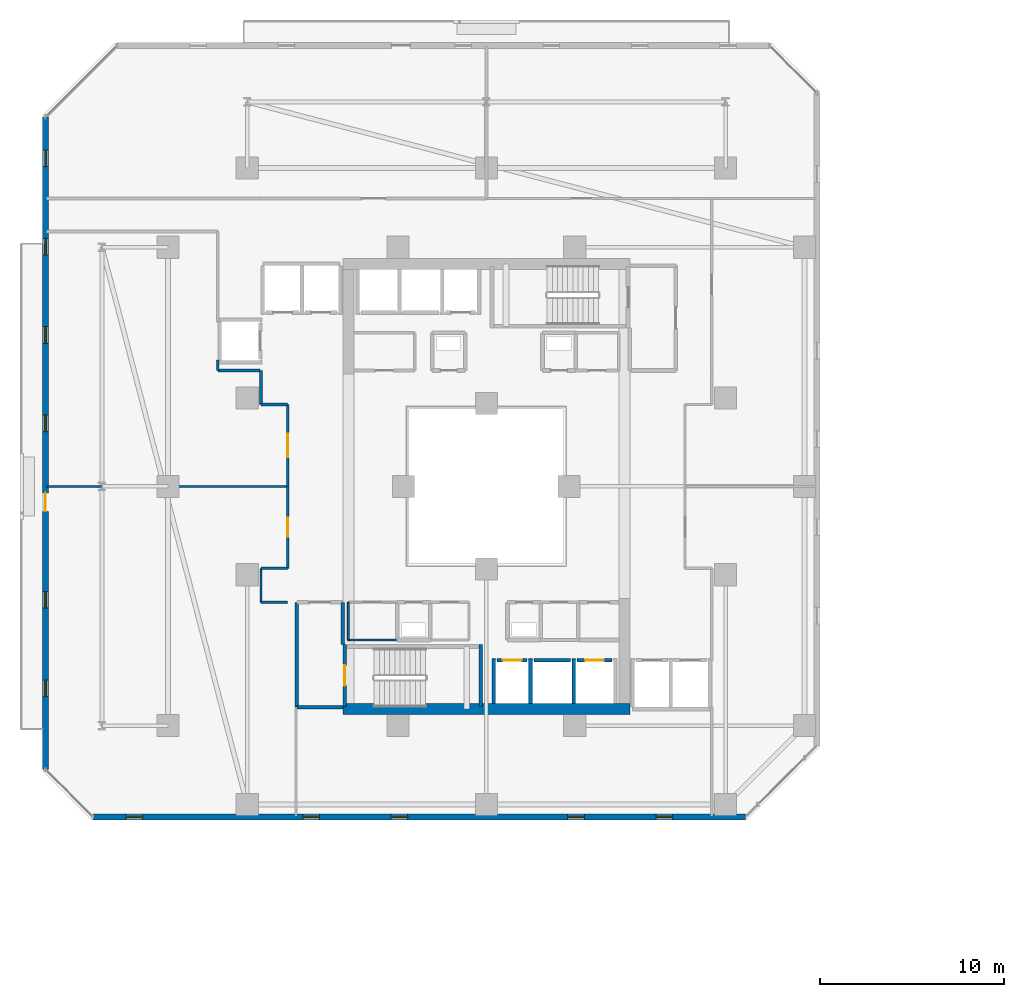
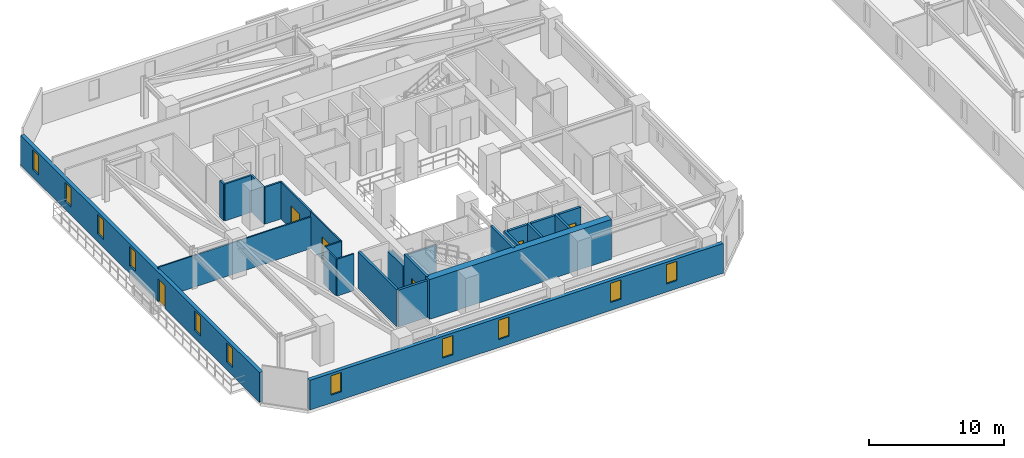
# One storey, part 19 of 33: 26 walls, 11 windows, 6 doors, 17 openings.
"""IFC4 building model written with IfcOpenShell, lengths in metres."""

import ifcopenshell
import ifcopenshell.guid

model = None  # the IFC model being written
_history = None  # IfcOwnerHistory: only IFC2X3 demands one
_inside = {}  # id of a spatial element -> (the spatial element, [elements in it])
_under = {}  # id of a project, library or spatial element -> (it, [spatial elements below it])
_declared = {}  # id of a project -> (the project, [libraries it declares])
_typed = {}  # id of a type object -> (the type object, [elements of that type])
_made_of = {}  # id of a material, layer set ... -> (it, [elements and type objects made of it])


def new_model(schema):
    """Start an empty IFC model of exactly this schema.

    Asked for "IFC4X3", IfcOpenShell would pick the latest addendum, in which some entities
    have other attributes; the version numbers below select the first issue.
    IFC2X3 requires an IfcOwnerHistory on every rooted entity: one is made here for all.
    """
    global model, _history
    if schema == "IFC4X3":
        model = ifcopenshell.file(schema_version=(4, 3, 0, 0))
    else:
        model = ifcopenshell.file(schema=schema)
    _inside.clear()
    _under.clear()
    _declared.clear()
    _typed.clear()
    _made_of.clear()
    _history = None
    if model.schema == "IFC2X3":
        org = make("IfcOrganization", Name="unknown")
        user = make(
            "IfcPersonAndOrganization",
            ThePerson=make("IfcPerson", FamilyName="unknown"),
            TheOrganization=org,
        )
        app = make(
            "IfcApplication",
            ApplicationDeveloper=org,
            Version="unknown",
            ApplicationFullName="unknown",
            ApplicationIdentifier="unknown",
        )
        _history = make(
            "IfcOwnerHistory",
            OwningUser=user,
            OwningApplication=app,
            ChangeAction="ADDED",
            CreationDate=0,
        )
    return model


def make(cls, **values):
    """One entity of the class cls with the attributes given. An attribute that is None is left unset."""
    return model.create_entity(
        cls, **{name: value for name, value in values.items() if value is not None}
    )


def rooted(cls, **values):
    """An entity with a GlobalId (a new one), such as an element, a storey or a relation."""
    return make(cls, GlobalId=ifcopenshell.guid.new(), OwnerHistory=_history, **values)


def si_unit(unit_type, name, prefix=None):
    """IfcSIUnit, for example si_unit("LENGTHUNIT", "METRE", prefix="MILLI")."""
    return make("IfcSIUnit", UnitType=unit_type, Prefix=prefix, Name=name)


def assignment(units):
    """IfcUnitAssignment: the units of a project."""
    return None if units is None else make("IfcUnitAssignment", Units=units)


def point(xyz):
    """IfcCartesianPoint."""
    return None if xyz is None else make("IfcCartesianPoint", Coordinates=xyz)


def direction(xyz):
    """IfcDirection."""
    return None if xyz is None else make("IfcDirection", DirectionRatios=xyz)


def frame(location, z_axis=None, x_axis=None):
    """IfcAxis2Placement3D, a coordinate frame: its origin and axes. An axis left out is left unset."""
    return make(
        "IfcAxis2Placement3D",
        Location=point(location),
        Axis=direction(z_axis),
        RefDirection=direction(x_axis),
    )


def frame_2d(location, x_axis=None):
    """IfcAxis2Placement2D, a coordinate frame in the plane: its origin and x axis."""
    return make(
        "IfcAxis2Placement2D", Location=point(location), RefDirection=direction(x_axis)
    )


def origin():
    """The frame at (0, 0, 0) with its axes left unset."""
    return frame((0.0, 0.0, 0.0))


def place(relative_to, where):
    """IfcLocalPlacement: puts the frame where relative to a parent placement (None: the world)."""
    return make(
        "IfcLocalPlacement", PlacementRelTo=relative_to, RelativePlacement=where
    )


def context(
    kind, dimensions, precision=None, world=None, true_north=None, identifier=None
):
    """IfcGeometricRepresentationContext, for example the 3D "Model" context."""
    return make(
        "IfcGeometricRepresentationContext",
        ContextIdentifier=identifier,
        ContextType=kind,
        CoordinateSpaceDimension=dimensions,
        Precision=precision,
        WorldCoordinateSystem=world,
        TrueNorth=true_north,
    )


def subcontext(parent, identifier, kind, view, scale=None):
    """IfcGeometricRepresentationSubContext, for example "Body" below "Model"."""
    return make(
        "IfcGeometricRepresentationSubContext",
        ContextIdentifier=identifier,
        ContextType=kind,
        ParentContext=parent,
        TargetScale=scale,
        TargetView=view,
    )


def project(units=None, contexts=None):
    """IfcProject with its units and contexts."""
    return rooted(
        "IfcProject",
        Name="project",
        RepresentationContexts=contexts,
        UnitsInContext=assignment(units),
    )


def spatial(cls, under=None, at=None, **own):
    """A site, building, storey or space (cls), placed at a placement, below another one or the project."""
    s = rooted(cls, ObjectPlacement=at, **own)
    if under is not None:
        _under.setdefault(under.id(), (under, []))[1].append(s)
    return s


def profile(cls, at=None, kind="AREA", **sizes):
    """A parametric profile (cls). Its sizes go by their IFC names, for example OverallWidth=200.0."""
    return make(cls, ProfileType=kind, Position=at, **sizes)


def rectangle(**sizes):
    """IfcRectangleProfileDef."""
    return profile("IfcRectangleProfileDef", **sizes)


def extrude(swept, where, along, depth):
    """IfcExtrudedAreaSolid: the profile swept, set in the frame where, extruded along a direction by depth."""
    return make(
        "IfcExtrudedAreaSolid",
        SweptArea=swept,
        Position=where,
        ExtrudedDirection=direction(along),
        Depth=depth,
    )


def shape(context_of_items, identifier, shape_type, items):
    """IfcShapeRepresentation: the items that make up one representation, for example the "Body"."""
    return make(
        "IfcShapeRepresentation",
        ContextOfItems=context_of_items,
        RepresentationIdentifier=identifier,
        RepresentationType=shape_type,
        Items=items,
    )


def material(Name=None, Category=None):
    """IfcMaterial."""
    return make("IfcMaterial", Name=Name, Category=Category)


def layer(
    of_material, thickness, ventilated=None, Name=None, Category=None, Priority=None
):
    """IfcMaterialLayer: one layer of a wall or slab, of a material (None: an air gap)."""
    return make(
        "IfcMaterialLayer",
        Material=of_material,
        LayerThickness=thickness,
        IsVentilated=ventilated,
        Name=Name,
        Category=Category,
        Priority=Priority,
    )


def layer_set(layers, Name=None):
    """IfcMaterialLayerSet."""
    return make("IfcMaterialLayerSet", MaterialLayers=layers, LayerSetName=Name)


def made_of(thing, what):
    """Note that an element or type object is made of a material, layer set ...; save() writes the relation."""
    if what is not None:
        _made_of.setdefault(what.id(), (what, []))[1].append(thing)
    return thing


def type_object(cls, material=None, **own):
    """A type object (cls), such as IfcWallType, which elements share."""
    return made_of(rooted(cls, **own), material)


def element(
    cls,
    number,
    at=None,
    inside=None,
    cuts=None,
    type_object=None,
    material=None,
    context=None,
    identifier="Body",
    shape_type=None,
    held_by="IfcProductDefinitionShape",
    body=None,
    shapes=None,
    **own,
):
    """One element of the class cls, such as IfcWall. Its Tag is "e" and its number.

    at: its placement. inside: the storey or other place that contains it. cuts: it is an
    opening in that element (IfcRelVoidsElement). A single representation is given by context,
    identifier, shape_type and body (its items); several are given by shapes. held_by: the class
    of the entity that holds the representations. save() writes the other relations.
    """
    e = rooted(cls, Tag="e%d" % number, ObjectPlacement=at, **own)
    if body is not None:
        shapes = [shape(context, identifier, shape_type, body)]
    if shapes is not None:
        e.Representation = make(held_by, Representations=shapes)
    if inside is not None:
        _inside.setdefault(inside.id(), (inside, []))[1].append(e)
    if cuts is not None:
        rooted(
            "IfcRelVoidsElement", RelatingBuildingElement=cuts, RelatedOpeningElement=e
        )
    if type_object is not None:
        _typed.setdefault(type_object.id(), (type_object, []))[1].append(e)
    return made_of(e, material)


def fill(opening, filler):
    """IfcRelFillsElement: the door or window that sits in an opening."""
    return rooted(
        "IfcRelFillsElement",
        RelatingOpeningElement=opening,
        RelatedBuildingElement=filler,
    )


def aggregate(whole, parts):
    """IfcRelAggregates: a whole, such as a stair, and the parts it consists of."""
    return rooted("IfcRelAggregates", RelatingObject=whole, RelatedObjects=parts)


def save(model, path):
    """Write the relations noted so far, then the file.

    IfcRelAggregates (storeys below a building ...), IfcRelContainedInSpatialStructure (elements
    in a storey), IfcRelDefinesByType, IfcRelAssociatesMaterial and IfcRelDeclares: one each for
    every whole, place, type object, material and project.
    """
    for whole, parts in _under.values():
        aggregate(whole, parts)
    for where, things in _inside.values():
        rooted(
            "IfcRelContainedInSpatialStructure",
            RelatedElements=things,
            RelatingStructure=where,
        )
    for kind, things in _typed.values():
        rooted("IfcRelDefinesByType", RelatedObjects=things, RelatingType=kind)
    for what, things in _made_of.values():
        rooted("IfcRelAssociatesMaterial", RelatedObjects=things, RelatingMaterial=what)
    for by, libraries in _declared.values():
        rooted("IfcRelDeclares", RelatingContext=by, RelatedDefinitions=libraries)
    model.write(path)


model = new_model("IFC4")

# Units and contexts
model_context = context("Model", 3, precision=1e-05, world=origin(), true_north=direction((0.0, 1.0)))
body_context = subcontext(model_context, "Body", "Model", "MODEL_VIEW")
ifc_project = project(units=[si_unit("LENGTHUNIT", "METRE"), si_unit("AREAUNIT", "SQUARE_METRE"), si_unit("VOLUMEUNIT", "CUBIC_METRE"), si_unit("PLANEANGLEUNIT", "RADIAN"), si_unit("MASSUNIT", "GRAM", prefix="KILO")], contexts=[model_context])

# Site, building, storey
site_placement = place(None, origin())
site = spatial("IfcSite", under=ifc_project, at=site_placement, CompositionType="ELEMENT")
building_placement = place(site_placement, origin())
building = spatial("IfcBuilding", under=site, at=building_placement, Name="Thornwick Lancets Civic Towers", CompositionType="ELEMENT")
storey_placement = place(building_placement, frame((0.0, 0.0, 101.699951171875)))
storey = spatial("IfcBuildingStorey", under=building, at=storey_placement, Name="L26", CompositionType="ELEMENT", Elevation=101.699951171875)

# Wall, opening, door
ifc_material_1 = material(Name="Concrete blockwork C40/50", Category="masonry")
ifc_layer_1 = layer(ifc_material_1, 0.199951171875, Name="Concrete blockwork C40/50")
ifc_layer_set_1 = layer_set([ifc_layer_1], Name="Concrete blockwork C40/50")
wall_type_1 = type_object("IfcWallType", Name="WALL_COMP_200", PredefinedType="STANDARD", material=ifc_layer_set_1)
wall_1_placement = place(storey_placement, frame((26.080078125, 17.550048828125, 0.0), z_axis=(0.0, 0.0, 1.0), x_axis=(1.0, 0.0, 0.0)))
wall_1 = element("IfcWall", 1, at=wall_1_placement, inside=storey, type_object=wall_type_1, Name="L26 Hoistway Front Wall FL-A1", PredefinedType="STANDARD", context=body_context, shape_type="SweptSolid", body=[
    extrude(rectangle(XDim=1.639892578125, YDim=0.199951171875, at=frame_2d((0.81982421875, 0.0))), origin(), (0.0, 0.0, 1.0), 3.340087890625),
])
opening_1_placement = place(wall_1_placement, frame((0.31005859375, 0.0, 0.0)))
opening_1 = element("IfcOpeningElement", 2, at=opening_1_placement, cuts=wall_1, Name="Opening LD-FL-A1", PredefinedType="OPENING", context=body_context, shape_type="SweptSolid", body=[
    extrude(rectangle(XDim=1.02001953125, YDim=2.06005859375, at=frame_2d((0.510009765625, 1.030029296875))), frame((0.0, 0.10986328125, 0.0), z_axis=(0.0, -1.0, 0.0), x_axis=(1.0, 0.0, 0.0)), (0.0, 0.0, 1.0), 0.219970703125),
])
ifc_material_2 = material(Name="Brushed bronze stainless steel", Category="steel")
door_type_1 = type_object("IfcDoorType", Name="DOOR_LIFT_SLIDE", OperationType="SLIDING_TO_LEFT", PredefinedType="DOOR", material=ifc_material_2)
door_1_placement = place(opening_1_placement, origin())
door_1 = element("IfcDoor", 3, at=door_1_placement, inside=storey, type_object=door_type_1, Name="L26 Sliding Lift Landing Door LD-FL-A1", OperationType="SLIDING_TO_LEFT", OverallHeight=2.06005859375, OverallWidth=1.02001953125, PredefinedType="DOOR", context=body_context, shape_type="SweptSolid", body=[
    extrude(rectangle(XDim=1.02001953125, YDim=2.06005859375, at=frame_2d((0.510009765625, 1.030029296875))), frame((0.0, 0.02490234375, 0.0), z_axis=(0.0, -1.0, 0.0), x_axis=(1.0, 0.0, 0.0)), (0.0, 0.0, 1.0), 0.050048828125),
])
fill(opening_1, door_1)

# Wall
wall_2_placement = place(storey_placement, frame((28.080078125, 17.550048828125, 0.0), z_axis=(0.0, 0.0, 1.0), x_axis=(1.0, 0.0, 0.0)))
element("IfcWall", 4, at=wall_2_placement, inside=storey, type_object=wall_type_1, Name="L26 Hoistway Front Wall PL-AH1", PredefinedType="STANDARD", context=body_context, shape_type="SweptSolid", body=[
    extrude(rectangle(XDim=1.989990234375, YDim=0.199951171875, at=frame_2d((0.9951171875, 0.0))), origin(), (0.0, 0.0, 1.0), 3.340087890625),
])

# Wall, opening, door
wall_3_placement = place(storey_placement, frame((30.429931640625, 17.550048828125, 0.0), z_axis=(0.0, 0.0, 1.0), x_axis=(1.0, 0.0, 0.0)))
wall_3 = element("IfcWall", 5, at=wall_3_placement, inside=storey, type_object=wall_type_1, Name="L26 Hoistway Front Wall PL-AL1", PredefinedType="STANDARD", context=body_context, shape_type="SweptSolid", body=[
    extrude(rectangle(XDim=1.89013671875, YDim=0.199951171875, at=frame_2d((0.945068359375, 0.0))), origin(), (0.0, 0.0, 1.0), 3.340087890625),
])
opening_2_placement = place(wall_3_placement, frame((0.43505859375, 0.0, 0.0)))
opening_2 = element("IfcOpeningElement", 6, at=opening_2_placement, cuts=wall_3, Name="Opening LD-PL-AL1", PredefinedType="OPENING", context=body_context, shape_type="SweptSolid", body=[
    extrude(rectangle(XDim=1.02001953125, YDim=2.06005859375, at=frame_2d((0.510009765625, 1.030029296875))), frame((0.0, 0.10986328125, 0.0), z_axis=(0.0, -1.0, 0.0), x_axis=(1.0, 0.0, 0.0)), (0.0, 0.0, 1.0), 0.219970703125),
])
door_2_placement = place(opening_2_placement, origin())
door_2 = element("IfcDoor", 7, at=door_2_placement, inside=storey, type_object=door_type_1, Name="L26 Sliding Lift Landing Door LD-PL-AL1", OperationType="SLIDING_TO_LEFT", OverallHeight=2.06005859375, OverallWidth=1.02001953125, PredefinedType="DOOR", context=body_context, shape_type="SweptSolid", body=[
    extrude(rectangle(XDim=1.02001953125, YDim=2.06005859375, at=frame_2d((0.510009765625, 1.030029296875))), frame((0.0, 0.02490234375, 0.0), z_axis=(0.0, -1.0, 0.0), x_axis=(1.0, 0.0, 0.0)), (0.0, 0.0, 1.0), 0.050048828125),
])
fill(opening_2, door_2)

# Walls
for number, where, z_axis, x_axis, name in (
    (8, (27.89990234375, 15.2119140625, 0.0), (0.0, 0.0, 1.0), (0.0, 1.0, 0.0), "L26 Hoistway Shaft Wall FL-A1 E"),
    (9, (25.89990234375, 15.2119140625, 0.0), (0.0, 0.0, 1.0), (0.0, 1.0, 0.0), "L26 Hoistway Shaft Wall FL-A1 W"),
    (10, (30.25, 15.2119140625, 0.0), (0.0, 0.0, 1.0), (0.0, 1.0, 0.0), "L26 Hoistway Shaft Wall PL-AH1 E"),
):
    element("IfcWall", number, at=place(storey_placement, frame(where, z_axis=z_axis, x_axis=x_axis)), inside=storey, type_object=wall_type_1, Name=name, PredefinedType="STANDARD", context=body_context, shape_type="SweptSolid", body=[
        extrude(rectangle(XDim=2.43603515625, YDim=0.199951171875, at=frame_2d((1.218017578125, 0.0))), origin(), (0.0, 0.0, 1.0), 3.340087890625),
    ])
wall_4_placement = place(storey_placement, frame((15.199951171875, 15.0, 0.0), z_axis=(0.0, 0.0, 1.0), x_axis=(1.0, 0.0, 0.0)))
element("IfcWall", 11, at=wall_4_placement, inside=storey, type_object=wall_type_1, Name="L26 Partition L26-A-FFLOB1 E1", PredefinedType="STANDARD", context=body_context, shape_type="SweptSolid", body=[
    extrude(rectangle(XDim=2.5, YDim=0.199951171875, at=frame_2d((1.25, 0.0))), origin(), (0.0, 0.0, 1.0), 3.340087890625),
])
wall_5_placement = place(storey_placement, frame((17.699951171875, 18.39990234375, 0.0), z_axis=(0.0, 0.0, 1.0), x_axis=(0.0, 1.0, 0.0)))
element("IfcWall", 12, at=wall_5_placement, inside=storey, type_object=wall_type_1, Name="L26 Partition L26-A-FFLOB1 E2", PredefinedType="STANDARD", context=body_context, shape_type="SweptSolid", body=[
    extrude(rectangle(XDim=2.300048828125, YDim=0.199951171875, at=frame_2d((1.14990234375, 0.0))), origin(), (0.0, 0.0, 1.0), 2.545166015625),
])
wall_6_placement = place(storey_placement, frame((15.199951171875, 20.699951171875, 0.0), z_axis=(0.0, 0.0, 1.0), x_axis=(0.0, -1.0, 0.0)))
element("IfcWall", 13, at=wall_6_placement, inside=storey, type_object=wall_type_1, Name="L26 Partition L26-A-FFLOB1 E4", PredefinedType="STANDARD", context=body_context, shape_type="SweptSolid", body=[
    extrude(rectangle(XDim=5.699951171875, YDim=0.199951171875, at=frame_2d((2.85009765625, 0.0))), origin(), (0.0, 0.0, 1.0), 3.340087890625),
])
ifc_material_3 = material(Name="Concrete C60/75", Category="concrete")
ifc_layer_2 = layer(ifc_material_3, 0.60009765625, Name="Concrete C60/75")
ifc_layer_set_2 = layer_set([ifc_layer_2], Name="Concrete C60/75")
wall_type_2 = type_object("IfcWallType", Name="WALL_CORE_600", PredefinedType="SHEAR", material=ifc_layer_set_2)
wall_7_placement = place(storey_placement, frame((17.699951171875, 14.89990234375, 0.0), z_axis=(0.0, 0.0, 1.0), x_axis=(1.0, 0.0, 0.0)))
element("IfcWall", 14, at=wall_7_placement, inside=storey, type_object=wall_type_2, Name="L26 Split Core A1 Shear Wall S", PredefinedType="SHEAR", context=body_context, shape_type="SweptSolid", body=[
    extrude(rectangle(XDim=15.60009765625, YDim=0.60009765625, at=frame_2d((7.800048828125, 0.0))), origin(), (0.0, 0.0, 1.0), 3.60009765625),
])

# Wall, openings, windows
ifc_material_4 = material(Name="Insulated buff terracotta rainscreen on concrete C40/50", Category="masonry")
ifc_layer_3 = layer(ifc_material_4, 0.320068359375, Name="Insulated buff terracotta rainscreen on concrete C40/50")
ifc_layer_set_3 = layer_set([ifc_layer_3], Name="Insulated buff terracotta rainscreen on concrete C40/50")
wall_type_3 = type_object("IfcWallType", Name="WALL_EXT_TERRA_320", PredefinedType="STANDARD", material=ifc_layer_set_3)
wall_8_placement = place(storey_placement, frame((4.11865234375, 9.035400390625, 0.0), z_axis=(0.0, 0.0, 1.0), x_axis=(0.99999999315, 0.00011704845, 0.0)))
wall_8 = element("IfcWall", 15, at=wall_8_placement, inside=storey, type_object=wall_type_3, Name="L26 Tower A Terracotta Facade Wall E0", PredefinedType="STANDARD", context=body_context, shape_type="SweptSolid", body=[
    extrude(rectangle(XDim=35.458740234375, YDim=0.320068359375, at=frame_2d((17.7294921875, 0.0))), origin(), (0.0, 0.0, 1.0), 2.699951171875),
])
opening_3_placement = place(wall_8_placement, frame((1.800048828125, 0.0, 0.719970703125)))
opening_3 = element("IfcOpeningElement", 16, at=opening_3_placement, cuts=wall_8, Name="Opening WL-01", PredefinedType="OPENING", context=body_context, shape_type="SweptSolid", body=[
    extrude(rectangle(XDim=0.89990234375, YDim=1.75, at=frame_2d((0.449951171875, 0.875))), frame((0.0, 0.169921875, 0.0), z_axis=(0.0, -1.0, 0.0), x_axis=(1.0, 0.0, 0.0)), (0.0, 0.0, 1.0), 0.340087890625),
])
opening_4_placement = place(wall_8_placement, frame((11.39990234375, 0.0, 0.719970703125)))
opening_4 = element("IfcOpeningElement", 17, at=opening_4_placement, cuts=wall_8, Name="Opening WL-01", PredefinedType="OPENING", context=body_context, shape_type="SweptSolid", body=[
    extrude(rectangle(XDim=0.89990234375, YDim=1.75, at=frame_2d((0.449951171875, 0.875))), frame((0.0, 0.169921875, 0.0), z_axis=(0.0, -1.0, 0.0), x_axis=(1.0, 0.0, 0.0)), (0.0, 0.0, 1.0), 0.340087890625),
])
opening_5_placement = place(wall_8_placement, frame((16.199951171875, 0.0, 0.719970703125)))
opening_5 = element("IfcOpeningElement", 18, at=opening_5_placement, cuts=wall_8, Name="Opening WL-01", PredefinedType="OPENING", context=body_context, shape_type="SweptSolid", body=[
    extrude(rectangle(XDim=0.89990234375, YDim=1.75, at=frame_2d((0.449951171875, 0.875))), frame((0.0, 0.169921875, 0.0), z_axis=(0.0, -1.0, 0.0), x_axis=(1.0, 0.0, 0.0)), (0.0, 0.0, 1.0), 0.340087890625),
])
opening_6_placement = place(wall_8_placement, frame((25.800048828125, 0.0, 0.719970703125)))
opening_6 = element("IfcOpeningElement", 19, at=opening_6_placement, cuts=wall_8, Name="Opening WL-01", PredefinedType="OPENING", context=body_context, shape_type="SweptSolid", body=[
    extrude(rectangle(XDim=0.89990234375, YDim=1.75, at=frame_2d((0.449951171875, 0.875))), frame((0.0, 0.169921875, 0.0), z_axis=(0.0, -1.0, 0.0), x_axis=(1.0, 0.0, 0.0)), (0.0, 0.0, 1.0), 0.340087890625),
])
opening_7_placement = place(wall_8_placement, frame((30.60009765625, 0.0, 0.719970703125)))
opening_7 = element("IfcOpeningElement", 20, at=opening_7_placement, cuts=wall_8, Name="Opening WL-01", PredefinedType="OPENING", context=body_context, shape_type="SweptSolid", body=[
    extrude(rectangle(XDim=0.89990234375, YDim=1.75, at=frame_2d((0.449951171875, 0.875))), frame((0.0, 0.169921875, 0.0), z_axis=(0.0, -1.0, 0.0), x_axis=(1.0, 0.0, 0.0)), (0.0, 0.0, 1.0), 0.340087890625),
])
ifc_material_5 = material(Name="Clear low-e double glazing in bronze frame", Category="glass")
window_type = type_object("IfcWindowType", Name="WIN_LANCET_900", PartitioningType="SINGLE_PANEL", PredefinedType="WINDOW", material=ifc_material_5)
window_1_placement = place(opening_3_placement, origin())
window_1 = element("IfcWindow", 21, at=window_1_placement, inside=storey, type_object=window_type, Name="L26 Tower A Staggered Lancet Window E0-1", OverallHeight=1.75, OverallWidth=0.89990234375, PartitioningType="SINGLE_PANEL", PredefinedType="WINDOW", context=body_context, shape_type="SweptSolid", body=[
    extrude(rectangle(XDim=0.89990234375, YDim=1.75, at=frame_2d((0.449951171875, 0.875))), frame((0.0, 0.030029296875, 0.0), z_axis=(0.0, -1.0, 0.0), x_axis=(1.0, 0.0, 0.0)), (0.0, 0.0, 1.0), 0.06005859375),
])
fill(opening_3, window_1)
window_2_placement = place(opening_4_placement, origin())
window_2 = element("IfcWindow", 22, at=window_2_placement, inside=storey, type_object=window_type, Name="L26 Tower A Staggered Lancet Window E0-2", OverallHeight=1.75, OverallWidth=0.89990234375, PartitioningType="SINGLE_PANEL", PredefinedType="WINDOW", context=body_context, shape_type="SweptSolid", body=[
    extrude(rectangle(XDim=0.89990234375, YDim=1.75, at=frame_2d((0.449951171875, 0.875))), frame((0.0, 0.030029296875, 0.0), z_axis=(0.0, -1.0, 0.0), x_axis=(1.0, 0.0, 0.0)), (0.0, 0.0, 1.0), 0.06005859375),
])
fill(opening_4, window_2)
window_3_placement = place(opening_5_placement, origin())
window_3 = element("IfcWindow", 23, at=window_3_placement, inside=storey, type_object=window_type, Name="L26 Tower A Staggered Lancet Window E0-3", OverallHeight=1.75, OverallWidth=0.89990234375, PartitioningType="SINGLE_PANEL", PredefinedType="WINDOW", context=body_context, shape_type="SweptSolid", body=[
    extrude(rectangle(XDim=0.89990234375, YDim=1.75, at=frame_2d((0.449951171875, 0.875))), frame((0.0, 0.030029296875, 0.0), z_axis=(0.0, -1.0, 0.0), x_axis=(1.0, 0.0, 0.0)), (0.0, 0.0, 1.0), 0.06005859375),
])
fill(opening_5, window_3)
window_4_placement = place(opening_6_placement, origin())
window_4 = element("IfcWindow", 24, at=window_4_placement, inside=storey, type_object=window_type, Name="L26 Tower A Staggered Lancet Window E0-4", OverallHeight=1.75, OverallWidth=0.89990234375, PartitioningType="SINGLE_PANEL", PredefinedType="WINDOW", context=body_context, shape_type="SweptSolid", body=[
    extrude(rectangle(XDim=0.89990234375, YDim=1.75, at=frame_2d((0.449951171875, 0.875))), frame((0.0, 0.030029296875, 0.0), z_axis=(0.0, -1.0, 0.0), x_axis=(1.0, 0.0, 0.0)), (0.0, 0.0, 1.0), 0.06005859375),
])
fill(opening_6, window_4)
window_5_placement = place(opening_7_placement, origin())
window_5 = element("IfcWindow", 25, at=window_5_placement, inside=storey, type_object=window_type, Name="L26 Tower A Staggered Lancet Window E0-5", OverallHeight=1.75, OverallWidth=0.89990234375, PartitioningType="SINGLE_PANEL", PredefinedType="WINDOW", context=body_context, shape_type="SweptSolid", body=[
    extrude(rectangle(XDim=0.89990234375, YDim=1.75, at=frame_2d((0.449951171875, 0.875))), frame((0.0, 0.030029296875, 0.0), z_axis=(0.0, -1.0, 0.0), x_axis=(1.0, 0.0, 0.0)), (0.0, 0.0, 1.0), 0.06005859375),
])
fill(opening_7, window_5)

# Wall, openings, door, windows
wall_9_placement = place(storey_placement, frame((1.53955078125, 47.077392578125, 0.0), z_axis=(0.0, 0.0, 1.0), x_axis=(-0.00011704845, -0.99999999315, 0.0)))
wall_9 = element("IfcWall", 26, at=wall_9_placement, inside=storey, type_object=wall_type_3, Name="L26 Tower A Terracotta Facade Wall E6", PredefinedType="STANDARD", context=body_context, shape_type="SweptSolid", body=[
    extrude(rectangle(XDim=35.458740234375, YDim=0.320068359375, at=frame_2d((17.7294921875, 0.0))), origin(), (0.0, 0.0, 1.0), 2.699951171875),
])
opening_8_placement = place(wall_9_placement, frame((20.42919921875, 0.0, 0.0)))
opening_8 = element("IfcOpeningElement", 27, at=opening_8_placement, cuts=wall_9, Name="Opening D-BL-L26-AW", PredefinedType="OPENING", context=body_context, shape_type="SweptSolid", body=[
    extrude(rectangle(XDim=1.0, YDim=2.080078125, at=frame_2d((0.5, 1.0400390625))), frame((0.0, 0.169921875, 0.0), z_axis=(0.0, -1.0, 0.0), x_axis=(1.0, 0.0, 0.0)), (0.0, 0.0, 1.0), 0.340087890625),
])
opening_9_placement = place(wall_9_placement, frame((1.800048828125, 0.0, 0.719970703125)))
opening_9 = element("IfcOpeningElement", 28, at=opening_9_placement, cuts=wall_9, Name="Opening WL-01", PredefinedType="OPENING", context=body_context, shape_type="SweptSolid", body=[
    extrude(rectangle(XDim=0.89990234375, YDim=1.75, at=frame_2d((0.449951171875, 0.875))), frame((0.0, 0.169921875, 0.0), z_axis=(0.0, -1.0, 0.0), x_axis=(1.0, 0.0, 0.0)), (0.0, 0.0, 1.0), 0.340087890625),
])
opening_10_placement = place(wall_9_placement, frame((6.60009765625, 0.0, 0.719970703125)))
opening_10 = element("IfcOpeningElement", 29, at=opening_10_placement, cuts=wall_9, Name="Opening WL-01", PredefinedType="OPENING", context=body_context, shape_type="SweptSolid", body=[
    extrude(rectangle(XDim=0.89990234375, YDim=1.75, at=frame_2d((0.449951171875, 0.875))), frame((0.0, 0.169921875, 0.0), z_axis=(0.0, -1.0, 0.0), x_axis=(1.0, 0.0, 0.0)), (0.0, 0.0, 1.0), 0.340087890625),
])
opening_11_placement = place(wall_9_placement, frame((11.39990234375, 0.0, 0.719970703125)))
opening_11 = element("IfcOpeningElement", 30, at=opening_11_placement, cuts=wall_9, Name="Opening WL-01", PredefinedType="OPENING", context=body_context, shape_type="SweptSolid", body=[
    extrude(rectangle(XDim=0.89990234375, YDim=1.75, at=frame_2d((0.449951171875, 0.875))), frame((0.0, 0.169921875, 0.0), z_axis=(0.0, -1.0, 0.0), x_axis=(1.0, 0.0, 0.0)), (0.0, 0.0, 1.0), 0.340087890625),
])
opening_12_placement = place(wall_9_placement, frame((16.199951171875, 0.0, 0.719970703125)))
opening_12 = element("IfcOpeningElement", 31, at=opening_12_placement, cuts=wall_9, Name="Opening WL-01", PredefinedType="OPENING", context=body_context, shape_type="SweptSolid", body=[
    extrude(rectangle(XDim=0.89990234375, YDim=1.75, at=frame_2d((0.449951171875, 0.875))), frame((0.0, 0.169921875, 0.0), z_axis=(0.0, -1.0, 0.0), x_axis=(1.0, 0.0, 0.0)), (0.0, 0.0, 1.0), 0.340087890625),
])
opening_13_placement = place(wall_9_placement, frame((25.800048828125, 0.0, 0.719970703125)))
opening_13 = element("IfcOpeningElement", 32, at=opening_13_placement, cuts=wall_9, Name="Opening WL-01", PredefinedType="OPENING", context=body_context, shape_type="SweptSolid", body=[
    extrude(rectangle(XDim=0.89990234375, YDim=1.75, at=frame_2d((0.449951171875, 0.875))), frame((0.0, 0.169921875, 0.0), z_axis=(0.0, -1.0, 0.0), x_axis=(1.0, 0.0, 0.0)), (0.0, 0.0, 1.0), 0.340087890625),
])
opening_14_placement = place(wall_9_placement, frame((30.60009765625, 0.0, 0.719970703125)))
opening_14 = element("IfcOpeningElement", 33, at=opening_14_placement, cuts=wall_9, Name="Opening WL-01", PredefinedType="OPENING", context=body_context, shape_type="SweptSolid", body=[
    extrude(rectangle(XDim=0.89990234375, YDim=1.75, at=frame_2d((0.449951171875, 0.875))), frame((0.0, 0.169921875, 0.0), z_axis=(0.0, -1.0, 0.0), x_axis=(1.0, 0.0, 0.0)), (0.0, 0.0, 1.0), 0.340087890625),
])
ifc_material_6 = material(Name="Thermally broken glazed loggia doorset")
door_type_2 = type_object("IfcDoorType", Name="DOOR_BALC_1000", OperationType="NOTDEFINED", PredefinedType="DOOR", material=ifc_material_6)
door_3_placement = place(opening_8_placement, origin())
door_3 = element("IfcDoor", 34, at=door_3_placement, inside=storey, type_object=door_type_2, Name="L26 Tower A Loggia Balcony Door W", OperationType="SINGLE_SWING_LEFT", OverallHeight=2.080078125, OverallWidth=1.0, PredefinedType="DOOR", context=body_context, shape_type="SweptSolid", body=[
    extrude(rectangle(XDim=1.0, YDim=2.080078125, at=frame_2d((0.5, 1.0400390625))), frame((0.0, 0.02490234375, 0.0), z_axis=(0.0, -1.0, 0.0), x_axis=(1.0, 0.0, 0.0)), (0.0, 0.0, 1.0), 0.050048828125),
])
fill(opening_8, door_3)
window_6_placement = place(opening_9_placement, origin())
window_6 = element("IfcWindow", 35, at=window_6_placement, inside=storey, type_object=window_type, Name="L26 Tower A Staggered Lancet Window E6-1", OverallHeight=1.75, OverallWidth=0.89990234375, PartitioningType="SINGLE_PANEL", PredefinedType="WINDOW", context=body_context, shape_type="SweptSolid", body=[
    extrude(rectangle(XDim=0.89990234375, YDim=1.75, at=frame_2d((0.449951171875, 0.875))), frame((0.0, 0.030029296875, 0.0), z_axis=(0.0, -1.0, 0.0), x_axis=(1.0, 0.0, 0.0)), (0.0, 0.0, 1.0), 0.06005859375),
])
fill(opening_9, window_6)
window_7_placement = place(opening_10_placement, origin())
window_7 = element("IfcWindow", 36, at=window_7_placement, inside=storey, type_object=window_type, Name="L26 Tower A Staggered Lancet Window E6-2", OverallHeight=1.75, OverallWidth=0.89990234375, PartitioningType="SINGLE_PANEL", PredefinedType="WINDOW", context=body_context, shape_type="SweptSolid", body=[
    extrude(rectangle(XDim=0.89990234375, YDim=1.75, at=frame_2d((0.449951171875, 0.875))), frame((0.0, 0.030029296875, 0.0), z_axis=(0.0, -1.0, 0.0), x_axis=(1.0, 0.0, 0.0)), (0.0, 0.0, 1.0), 0.06005859375),
])
fill(opening_10, window_7)
window_8_placement = place(opening_11_placement, origin())
window_8 = element("IfcWindow", 37, at=window_8_placement, inside=storey, type_object=window_type, Name="L26 Tower A Staggered Lancet Window E6-3", OverallHeight=1.75, OverallWidth=0.89990234375, PartitioningType="SINGLE_PANEL", PredefinedType="WINDOW", context=body_context, shape_type="SweptSolid", body=[
    extrude(rectangle(XDim=0.89990234375, YDim=1.75, at=frame_2d((0.449951171875, 0.875))), frame((0.0, 0.030029296875, 0.0), z_axis=(0.0, -1.0, 0.0), x_axis=(1.0, 0.0, 0.0)), (0.0, 0.0, 1.0), 0.06005859375),
])
fill(opening_11, window_8)
window_9_placement = place(opening_12_placement, origin())
window_9 = element("IfcWindow", 38, at=window_9_placement, inside=storey, type_object=window_type, Name="L26 Tower A Staggered Lancet Window E6-4", OverallHeight=1.75, OverallWidth=0.89990234375, PartitioningType="SINGLE_PANEL", PredefinedType="WINDOW", context=body_context, shape_type="SweptSolid", body=[
    extrude(rectangle(XDim=0.89990234375, YDim=1.75, at=frame_2d((0.449951171875, 0.875))), frame((0.0, 0.030029296875, 0.0), z_axis=(0.0, -1.0, 0.0), x_axis=(1.0, 0.0, 0.0)), (0.0, 0.0, 1.0), 0.06005859375),
])
fill(opening_12, window_9)
window_10_placement = place(opening_13_placement, origin())
window_10 = element("IfcWindow", 39, at=window_10_placement, inside=storey, type_object=window_type, Name="L26 Tower A Staggered Lancet Window E6-5", OverallHeight=1.75, OverallWidth=0.89990234375, PartitioningType="SINGLE_PANEL", PredefinedType="WINDOW", context=body_context, shape_type="SweptSolid", body=[
    extrude(rectangle(XDim=0.89990234375, YDim=1.75, at=frame_2d((0.449951171875, 0.875))), frame((0.0, 0.030029296875, 0.0), z_axis=(0.0, -1.0, 0.0), x_axis=(1.0, 0.0, 0.0)), (0.0, 0.0, 1.0), 0.06005859375),
])
fill(opening_13, window_10)
window_11_placement = place(opening_14_placement, origin())
window_11 = element("IfcWindow", 40, at=window_11_placement, inside=storey, type_object=window_type, Name="L26 Tower A Staggered Lancet Window E6-6", OverallHeight=1.75, OverallWidth=0.89990234375, PartitioningType="SINGLE_PANEL", PredefinedType="WINDOW", context=body_context, shape_type="SweptSolid", body=[
    extrude(rectangle(XDim=0.89990234375, YDim=1.75, at=frame_2d((0.449951171875, 0.875))), frame((0.0, 0.030029296875, 0.0), z_axis=(0.0, -1.0, 0.0), x_axis=(1.0, 0.0, 0.0)), (0.0, 0.0, 1.0), 0.06005859375),
])
fill(opening_14, window_11)

# Walls
ifc_material_7 = material(Name="Lightweight cellular office partition")
ifc_layer_4 = layer(ifc_material_7, 0.10009765625, Name="Lightweight cellular office partition")
ifc_layer_set_4 = layer_set([ifc_layer_4], Name="Lightweight cellular office partition")
wall_type_4 = type_object("IfcWallType", Name="WALL_PART_100", PredefinedType="PARTITIONING", material=ifc_layer_set_4)
wall_10_placement = place(storey_placement, frame((18.0, 18.64990234375, 0.0), z_axis=(0.0, 0.0, 1.0), x_axis=(1.0, 0.0, 0.0)))
element("IfcWall", 41, at=wall_10_placement, inside=storey, type_object=wall_type_4, Name="L26 Partition L26-A-CLN E1", PredefinedType="PARTITIONING", context=body_context, shape_type="SweptSolid", body=[
    extrude(rectangle(XDim=2.60009765625, YDim=0.10009765625, at=frame_2d((1.300048828125, 0.0))), origin(), (0.0, 0.0, 1.0), 3.340087890625),
])
wall_11_placement = place(storey_placement, frame((18.0, 20.699951171875, 0.0), z_axis=(0.0, 0.0, 1.0), x_axis=(0.0, -1.0, 0.0)))
element("IfcWall", 42, at=wall_11_placement, inside=storey, type_object=wall_type_4, Name="L26 Partition L26-A-CLN E4", PredefinedType="PARTITIONING", context=body_context, shape_type="SweptSolid", body=[
    extrude(rectangle(XDim=2.050048828125, YDim=0.10009765625, at=frame_2d((1.02490234375, 0.0))), origin(), (0.0, 0.0, 1.0), 2.545166015625),
])
ifc_material_8 = material(Name="Acoustic gypsum board partition")
ifc_layer_5 = layer(ifc_material_8, 0.1201171875, Name="Acoustic gypsum board partition")
ifc_layer_set_5 = layer_set([ifc_layer_5], Name="Acoustic gypsum board partition")
wall_type_5 = type_object("IfcWallType", Name="WALL_PART_120", PredefinedType="PARTITIONING", material=ifc_layer_set_5)
wall_12_placement = place(storey_placement, frame((1.580078125, 27.0, 0.0), z_axis=(0.0, 0.0, 1.0), x_axis=(1.0, 0.0, 0.0)))
element("IfcWall", 43, at=wall_12_placement, inside=storey, type_object=wall_type_5, Name="L26 Partition L26-A-W1 E2", PredefinedType="PARTITIONING", context=body_context, shape_type="SweptSolid", body=[
    extrude(rectangle(XDim=13.119873046875, YDim=0.1201171875, at=frame_2d((6.56005859375, 0.0))), origin(), (0.0, 0.0, 1.0), 2.8779296875),
])

# Wall, opening, door
wall_13_placement = place(storey_placement, frame((14.699951171875, 27.0, 0.0), z_axis=(0.0, 0.0, 1.0), x_axis=(0.0, -1.0, 0.0)))
wall_13 = element("IfcWall", 44, at=wall_13_placement, inside=storey, type_object=wall_type_5, Name="L26 Partition L26-A-W1 E3", PredefinedType="PARTITIONING", context=body_context, shape_type="SweptSolid", body=[
    extrude(rectangle(XDim=4.449951171875, YDim=0.1201171875, at=frame_2d((2.22509765625, 0.0))), origin(), (0.0, 0.0, 1.0), 3.340087890625),
])
opening_15_placement = place(wall_13_placement, frame((1.699951171875, 0.0, 0.0)))
opening_15 = element("IfcOpeningElement", 45, at=opening_15_placement, cuts=wall_13, Name="Opening D-L26-1217", PredefinedType="OPENING", context=body_context, shape_type="SweptSolid", body=[
    extrude(rectangle(XDim=1.050048828125, YDim=2.10009765625, at=frame_2d((0.52490234375, 1.050048828125))), frame((0.0, 0.070068359375, 0.0), z_axis=(0.0, -1.0, 0.0), x_axis=(1.0, 0.0, 0.0)), (0.0, 0.0, 1.0), 0.14013671875),
])
ifc_material_9 = material(Name="Glazed European oak executive doorset")
door_type_3 = type_object("IfcDoorType", Name="DOOR_OFFICE_1050", OperationType="NOTDEFINED", PredefinedType="DOOR", material=ifc_material_9)
door_4_placement = place(opening_15_placement, origin())
door_4 = element("IfcDoor", 46, at=door_4_placement, inside=storey, type_object=door_type_3, Name="L26 Tower A Ministry Directorate Office W1 Door", OperationType="SINGLE_SWING_RIGHT", OverallHeight=2.10009765625, OverallWidth=1.050048828125, PredefinedType="DOOR", context=body_context, shape_type="SweptSolid", body=[
    extrude(rectangle(XDim=1.050048828125, YDim=2.10009765625, at=frame_2d((0.52490234375, 1.050048828125))), frame((0.0, 0.02490234375, 0.0), z_axis=(0.0, -1.0, 0.0), x_axis=(1.0, 0.0, 0.0)), (0.0, 0.0, 1.0), 0.050048828125),
])
fill(opening_15, door_4)

# Walls
wall_14_placement = place(storey_placement, frame((14.699951171875, 22.550048828125, 0.0), z_axis=(0.0, 0.0, 1.0), x_axis=(-1.0, 0.0, 0.0)))
element("IfcWall", 47, at=wall_14_placement, inside=storey, type_object=wall_type_5, Name="L26 Partition L26-A-W1 E4", PredefinedType="PARTITIONING", context=body_context, shape_type="SweptSolid", body=[
    extrude(rectangle(XDim=1.449951171875, YDim=0.1201171875, at=frame_2d((0.72509765625, 0.0))), origin(), (0.0, 0.0, 1.0), 3.340087890625),
])
wall_15_placement = place(storey_placement, frame((13.25, 22.550048828125, 0.0), z_axis=(0.0, 0.0, 1.0), x_axis=(0.0, -1.0, 0.0)))
element("IfcWall", 48, at=wall_15_placement, inside=storey, type_object=wall_type_5, Name="L26 Partition L26-A-W1 E5", PredefinedType="PARTITIONING", context=body_context, shape_type="SweptSolid", body=[
    extrude(rectangle(XDim=1.85009765625, YDim=0.1201171875, at=frame_2d((0.925048828125, 0.0))), origin(), (0.0, 0.0, 1.0), 3.340087890625),
])
wall_16_placement = place(storey_placement, frame((13.25, 20.699951171875, 0.0), z_axis=(0.0, 0.0, 1.0), x_axis=(1.0, 0.0, 0.0)))
element("IfcWall", 49, at=wall_16_placement, inside=storey, type_object=wall_type_5, Name="L26 Partition L26-A-W1 E6", PredefinedType="PARTITIONING", context=body_context, shape_type="SweptSolid", body=[
    extrude(rectangle(XDim=1.449951171875, YDim=0.1201171875, at=frame_2d((0.72509765625, 0.0))), origin(), (0.0, 0.0, 1.0), 3.340087890625),
])
ifc_material_10 = material(Name="Twin-stud acoustic gypsum board")
ifc_layer_6 = layer(ifc_material_10, 0.14990234375, Name="Twin-stud acoustic gypsum board")
ifc_layer_set_6 = layer_set([ifc_layer_6], Name="Twin-stud acoustic gypsum board")
wall_type_6 = type_object("IfcWallType", Name="WALL_PART_150", PredefinedType="PARTITIONING", material=ifc_layer_set_6)
wall_17_placement = place(storey_placement, frame((10.89990234375, 33.862060546875, 0.0), z_axis=(0.0, 0.0, 1.0), x_axis=(0.0, -1.0, 0.0)))
element("IfcWall", 50, at=wall_17_placement, inside=storey, type_object=wall_type_6, Name="L26 Partition L26-A-W2 E1", PredefinedType="PARTITIONING", context=body_context, shape_type="SweptSolid", body=[
    extrude(rectangle(XDim=0.56201171875, YDim=0.14990234375, at=frame_2d((0.281005859375, 0.0))), origin(), (0.0, 0.0, 1.0), 3.340087890625),
])
wall_18_placement = place(storey_placement, frame((10.89990234375, 33.300048828125, 0.0), z_axis=(0.0, 0.0, 1.0), x_axis=(1.0, 0.0, 0.0)))
element("IfcWall", 51, at=wall_18_placement, inside=storey, type_object=wall_type_6, Name="L26 Partition L26-A-W2 E2", PredefinedType="PARTITIONING", context=body_context, shape_type="SweptSolid", body=[
    extrude(rectangle(XDim=2.300048828125, YDim=0.14990234375, at=frame_2d((1.14990234375, 0.0))), origin(), (0.0, 0.0, 1.0), 3.340087890625),
])
wall_19_placement = place(storey_placement, frame((13.25, 33.300048828125, 0.0), z_axis=(0.0, 0.0, 1.0), x_axis=(0.0, -1.0, 0.0)))
element("IfcWall", 52, at=wall_19_placement, inside=storey, type_object=wall_type_6, Name="L26 Partition L26-A-W2 E4", PredefinedType="PARTITIONING", context=body_context, shape_type="SweptSolid", body=[
    extrude(rectangle(XDim=1.85009765625, YDim=0.14990234375, at=frame_2d((0.925048828125, 0.0))), origin(), (0.0, 0.0, 1.0), 3.340087890625),
])
wall_20_placement = place(storey_placement, frame((13.25, 31.449951171875, 0.0), z_axis=(0.0, 0.0, 1.0), x_axis=(1.0, 0.0, 0.0)))
element("IfcWall", 53, at=wall_20_placement, inside=storey, type_object=wall_type_6, Name="L26 Partition L26-A-W2 E5", PredefinedType="PARTITIONING", context=body_context, shape_type="SweptSolid", body=[
    extrude(rectangle(XDim=1.449951171875, YDim=0.14990234375, at=frame_2d((0.72509765625, 0.0))), origin(), (0.0, 0.0, 1.0), 3.340087890625),
])

# Wall, opening, door
wall_21_placement = place(storey_placement, frame((14.699951171875, 31.449951171875, 0.0), z_axis=(0.0, 0.0, 1.0), x_axis=(0.0, -1.0, 0.0)))
wall_21 = element("IfcWall", 54, at=wall_21_placement, inside=storey, type_object=wall_type_6, Name="L26 Partition L26-A-W2 E6", PredefinedType="PARTITIONING", context=body_context, shape_type="SweptSolid", body=[
    extrude(rectangle(XDim=4.449951171875, YDim=0.14990234375, at=frame_2d((2.22509765625, 0.0))), origin(), (0.0, 0.0, 1.0), 3.340087890625),
])
opening_16_placement = place(wall_21_placement, frame((1.574951171875, 0.0, 0.0)))
opening_16 = element("IfcOpeningElement", 55, at=opening_16_placement, cuts=wall_21, Name="Opening D-L26-1218", PredefinedType="OPENING", context=body_context, shape_type="SweptSolid", body=[
    extrude(rectangle(XDim=1.300048828125, YDim=2.1201171875, at=frame_2d((0.64990234375, 1.06005859375))), frame((0.0, 0.0849609375, 0.0), z_axis=(0.0, -1.0, 0.0), x_axis=(1.0, 0.0, 0.0)), (0.0, 0.0, 1.0), 0.169921875),
])
ifc_material_11 = material(Name="Acoustic oak leaf-and-a-half doorset")
door_type_4 = type_object("IfcDoorType", Name="DOOR_MEET_1300", OperationType="DOUBLE_DOOR_SINGLE_SWING", PredefinedType="DOOR", material=ifc_material_11)
door_5_placement = place(opening_16_placement, origin())
door_5 = element("IfcDoor", 56, at=door_5_placement, inside=storey, type_object=door_type_4, Name="L26 Tower A Policy Briefing Room W2 Door", OperationType="DOUBLE_DOOR_SINGLE_SWING", OverallHeight=2.1201171875, OverallWidth=1.300048828125, PredefinedType="DOOR", context=body_context, shape_type="SweptSolid", body=[
    extrude(rectangle(XDim=1.300048828125, YDim=2.1201171875, at=frame_2d((0.64990234375, 1.06005859375))), frame((0.0, 0.02490234375, 0.0), z_axis=(0.0, -1.0, 0.0), x_axis=(1.0, 0.0, 0.0)), (0.0, 0.0, 1.0), 0.050048828125),
])
fill(opening_16, door_5)

ifc_material_12 = material(Name="Concrete C40/50", Category="concrete")
ifc_layer_7 = layer(ifc_material_12, 0.199951171875, Name="Concrete C40/50")
ifc_layer_set_7 = layer_set([ifc_layer_7], Name="Concrete C40/50")
wall_type_7 = type_object("IfcWallType", Name="WALL_SHAFT_200", PredefinedType="SHEAR", material=ifc_layer_set_7)
wall_22_placement = place(storey_placement, frame((17.800048828125, 15.050048828125, 0.0), z_axis=(0.0, 0.0, 1.0), x_axis=(0.0, 1.0, 0.0)))
wall_22 = element("IfcWall", 57, at=wall_22_placement, inside=storey, type_object=wall_type_7, Name="L26 ST-A1 Fire Stair Core Wall NEAR", PredefinedType="SHEAR", context=body_context, shape_type="SweptSolid", body=[
    extrude(rectangle(XDim=3.349853515625, YDim=0.199951171875, at=frame_2d((1.6748046875, 0.0))), origin(), (0.0, 0.0, 1.0), 3.60009765625),
])
opening_17_placement = place(wall_22_placement, frame((1.125, 0.0, 0.0)))
opening_17 = element("IfcOpeningElement", 58, at=opening_17_placement, cuts=wall_22, Name="Opening D-ST-A1-L26", PredefinedType="OPENING", context=body_context, shape_type="SweptSolid", body=[
    extrude(rectangle(XDim=1.10009765625, YDim=2.10009765625, at=frame_2d((0.550048828125, 1.050048828125))), frame((0.0, 0.10986328125, 0.0), z_axis=(0.0, -1.0, 0.0), x_axis=(1.0, 0.0, 0.0)), (0.0, 0.0, 1.0), 0.219970703125),
])
ifc_material_13 = material(Name="Fire-resisting steel and hardwood", Category="steel")
door_type_5 = type_object("IfcDoorType", Name="DOOR_STAIR_FD60", OperationType="NOTDEFINED", PredefinedType="DOOR", material=ifc_material_13)
door_6_placement = place(opening_17_placement, origin())
door_6 = element("IfcDoor", 59, at=door_6_placement, inside=storey, type_object=door_type_5, Name="L26 ST-A1 Exit Stair Door", OperationType="SINGLE_SWING_RIGHT", OverallHeight=2.10009765625, OverallWidth=1.10009765625, PredefinedType="DOOR", context=body_context, shape_type="SweptSolid", body=[
    extrude(rectangle(XDim=1.10009765625, YDim=2.10009765625, at=frame_2d((0.550048828125, 1.050048828125))), frame((0.0, 0.02490234375, 0.0), z_axis=(0.0, -1.0, 0.0), x_axis=(1.0, 0.0, 0.0)), (0.0, 0.0, 1.0), 0.050048828125),
])
fill(opening_17, door_6)

# Wall
wall_23_placement = place(storey_placement, frame((25.199951171875, 18.39990234375, 0.0), z_axis=(0.0, 0.0, 1.0), x_axis=(0.0, -1.0, 0.0)))
element("IfcWall", 60, at=wall_23_placement, inside=storey, type_object=wall_type_7, Name="L26 ST-A1 Fire Stair Core Wall FAR", PredefinedType="SHEAR", context=body_context, shape_type="SweptSolid", body=[
    extrude(rectangle(XDim=3.349853515625, YDim=0.199951171875, at=frame_2d((1.6748046875, 0.0))), origin(), (0.0, 0.0, 1.0), 3.60009765625),
])

save(model, "model.ifc")
